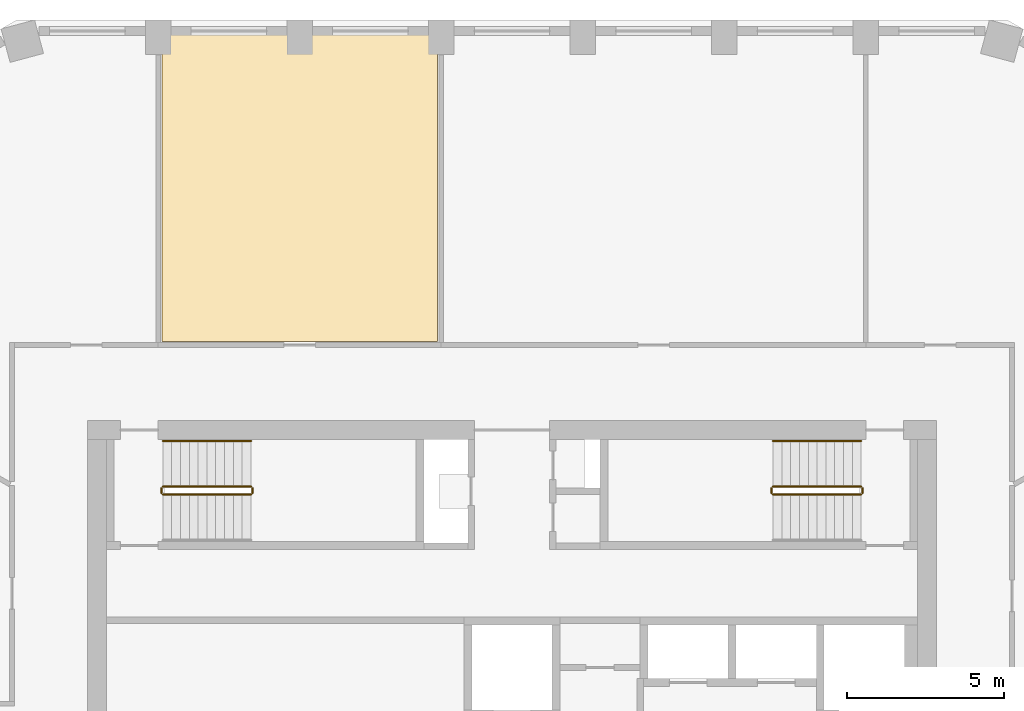
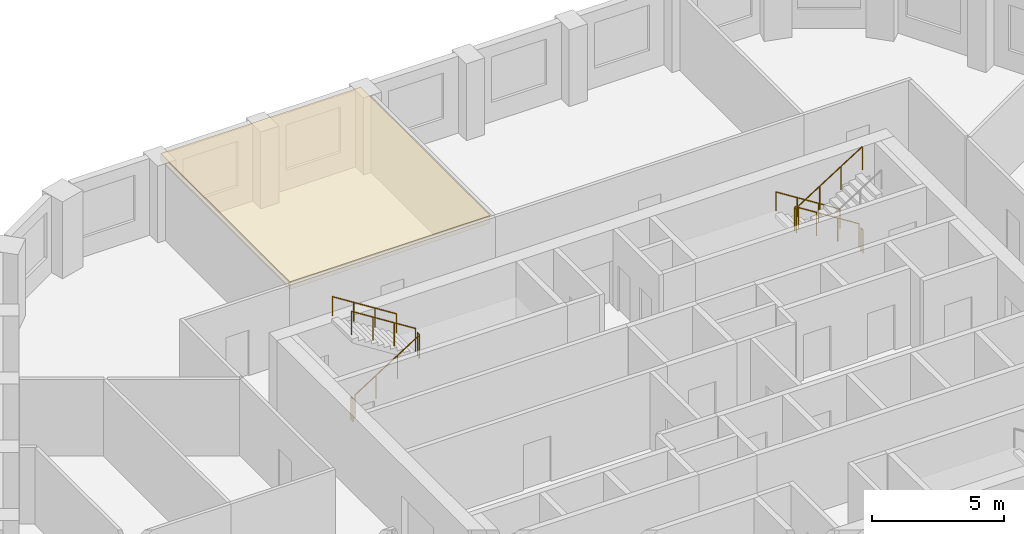
# One storey, part 11 of 11: 10 railings, 1 covering.
"""IFC4 building model written with IfcOpenShell, lengths in metres."""

from ifc_helpers import new_model, si_unit, direction, frame, origin, origin_2d, place, context, subcontext, project, spatial, polyline, circle, outline, extrude, material, layer, layer_set, type_object, element, save


model = new_model("IFC4")

# Units and contexts
model_context = context("Model", 3, precision=1e-05, world=origin(), true_north=direction((0.0, 1.0)))
body_context = subcontext(model_context, "Body", "Model", "MODEL_VIEW")
ifc_project = project(units=[si_unit("LENGTHUNIT", "METRE"), si_unit("AREAUNIT", "SQUARE_METRE"), si_unit("VOLUMEUNIT", "CUBIC_METRE"), si_unit("PLANEANGLEUNIT", "RADIAN"), si_unit("MASSUNIT", "GRAM", prefix="KILO")], contexts=[model_context])

# Site, building, storey
site_placement = place(None, origin())
site = spatial("IfcSite", under=ifc_project, at=site_placement, CompositionType="ELEMENT")
building_placement = place(site_placement, origin())
building = spatial("IfcBuilding", under=site, at=building_placement, Name="Dhurran Vertical Campus", CompositionType="ELEMENT")
storey_placement = place(building_placement, frame((0.0, 0.0, 211.199951171875)))
storey = spatial("IfcBuildingStorey", under=building, at=storey_placement, Name="L52", CompositionType="ELEMENT", Elevation=211.199951171875)

# Railings
ifc_material_1 = material(Name="Stainless steel balustrade", Category="steel")
railing_type_1 = type_object("IfcRailingType", Name="co-RL-GUARD-1100", PredefinedType="GUARDRAIL", material=ifc_material_1)
railing_1_placement = place(storey_placement, frame((-11.10009765625, 8.89990234375, 0.17724609375)))
element("IfcRailing", 1, at=railing_1_placement, inside=storey, type_object=railing_type_1, Name="L52 ST1 stair guard 1", PredefinedType="GUARDRAIL", context=body_context, shape_type="SweptSolid", body=[
    extrude(circle(Radius=0.02392578125, at=origin_2d()), frame((0.0, 0.0, 1.076171875), z_axis=(0.844908973607, 0.0, 0.534910110503), x_axis=(0.0, 1.0, 0.0)), (0.0, 0.0, 1.0), 3.31396484375),
    extrude(circle(Radius=0.02099609375, at=origin_2d()), origin(), (0.0, 0.0, 1.0), 1.052001953125),
    extrude(circle(Radius=0.02099609375, at=origin_2d()), frame((0.933349609375, 0.0, 0.5908203125)), (0.0, 0.0, 1.0), 1.052001953125),
    extrude(circle(Radius=0.02099609375, at=origin_2d()), frame((1.86669921875, 0.0, 1.181884765625)), (0.0, 0.0, 1.0), 1.052001953125),
    extrude(circle(Radius=0.02099609375, at=origin_2d()), frame((2.800048828125, 0.0, 1.772705078125)), (0.0, 0.0, 1.0), 1.052001953125),
])
railing_2_placement = place(storey_placement, frame((-8.25, 8.949951171875, 1.949951171875)))
element("IfcRailing", 2, at=railing_2_placement, inside=storey, type_object=railing_type_1, Name="L52 ST1 stair guard 2", PredefinedType="GUARDRAIL", context=body_context, shape_type="SweptSolid", body=[
    extrude(circle(Radius=0.02392578125, at=origin_2d()), frame((0.0, 0.0, 1.076171875), z_axis=(0.0, 1.0, 0.0), x_axis=(-1.0, 0.0, 0.0)), (0.0, 0.0, 1.0), 0.150146484375),
    extrude(circle(Radius=0.02099609375, at=origin_2d()), origin(), (0.0, 0.0, 1.0), 1.052001953125),
    extrude(circle(Radius=0.02099609375, at=origin_2d()), frame((0.0, 0.150146484375, 0.0)), (0.0, 0.0, 1.0), 1.052001953125),
])
railing_3_placement = place(storey_placement, frame((-8.300048828125, 9.14990234375, 2.12744140625)))
element("IfcRailing", 3, at=railing_3_placement, inside=storey, type_object=railing_type_1, Name="L52 ST1 stair guard 3", PredefinedType="GUARDRAIL", context=body_context, shape_type="SweptSolid", body=[
    extrude(circle(Radius=0.02392578125, at=origin_2d()), frame((0.0, 0.0, 1.076171875), z_axis=(-0.844908973607, 0.0, 0.534910110503), x_axis=(0.0, -1.0, 0.0)), (0.0, 0.0, 1.0), 3.31396484375),
    extrude(circle(Radius=0.02099609375, at=origin_2d()), origin(), (0.0, 0.0, 1.0), 1.052001953125),
    extrude(circle(Radius=0.02099609375, at=origin_2d()), frame((-0.933349609375, 0.0, 0.5908203125)), (0.0, 0.0, 1.0), 1.052001953125),
    extrude(circle(Radius=0.02099609375, at=origin_2d()), frame((-1.86669921875, 0.0, 1.181884765625)), (0.0, 0.0, 1.0), 1.052001953125),
    extrude(circle(Radius=0.02099609375, at=origin_2d()), frame((-2.800048828125, 0.0, 1.772705078125)), (0.0, 0.0, 1.0), 1.052001953125),
])
railing_4_placement = place(storey_placement, frame((-11.14990234375, 8.949951171875, 0.0)))
element("IfcRailing", 4, at=railing_4_placement, inside=storey, type_object=railing_type_1, Name="L52 ST1 stair guard 4", PredefinedType="GUARDRAIL", context=body_context, shape_type="SweptSolid", body=[
    extrude(circle(Radius=0.02392578125, at=origin_2d()), frame((0.0, 0.0, 1.076171875), z_axis=(0.0, 1.0, 0.0), x_axis=(-1.0, 0.0, 0.0)), (0.0, 0.0, 1.0), 0.150146484375),
    extrude(circle(Radius=0.02099609375, at=origin_2d()), origin(), (0.0, 0.0, 1.0), 1.052001953125),
    extrude(circle(Radius=0.02099609375, at=origin_2d()), frame((0.0, 0.150146484375, 0.0)), (0.0, 0.0, 1.0), 1.052001953125),
])
railing_5_placement = place(storey_placement, frame((11.10009765625, 9.14990234375, 0.17724609375)))
element("IfcRailing", 5, at=railing_5_placement, inside=storey, type_object=railing_type_1, Name="L52 ST2 stair guard 1", PredefinedType="GUARDRAIL", context=body_context, shape_type="SweptSolid", body=[
    extrude(circle(Radius=0.02392578125, at=origin_2d()), frame((0.0, 0.0, 1.076171875), z_axis=(-0.844908973607, 0.0, 0.534910110503), x_axis=(0.0, -1.0, 0.0)), (0.0, 0.0, 1.0), 3.31396484375),
    extrude(circle(Radius=0.02099609375, at=origin_2d()), origin(), (0.0, 0.0, 1.0), 1.052001953125),
    extrude(circle(Radius=0.02099609375, at=origin_2d()), frame((-0.933349609375, 0.0, 0.5908203125)), (0.0, 0.0, 1.0), 1.052001953125),
    extrude(circle(Radius=0.02099609375, at=origin_2d()), frame((-1.86669921875, 0.0, 1.181884765625)), (0.0, 0.0, 1.0), 1.052001953125),
    extrude(circle(Radius=0.02099609375, at=origin_2d()), frame((-2.800048828125, 0.0, 1.772705078125)), (0.0, 0.0, 1.0), 1.052001953125),
])
railing_6_placement = place(storey_placement, frame((8.25, 9.10009765625, 1.949951171875)))
element("IfcRailing", 6, at=railing_6_placement, inside=storey, type_object=railing_type_1, Name="L52 ST2 stair guard 2", PredefinedType="GUARDRAIL", context=body_context, shape_type="SweptSolid", body=[
    extrude(circle(Radius=0.02392578125, at=origin_2d()), frame((0.0, 0.0, 1.076171875), z_axis=(0.0, -1.0, 0.0), x_axis=(1.0, 0.0, 0.0)), (0.0, 0.0, 1.0), 0.150146484375),
    extrude(circle(Radius=0.02099609375, at=origin_2d()), origin(), (0.0, 0.0, 1.0), 1.052001953125),
    extrude(circle(Radius=0.02099609375, at=origin_2d()), frame((0.0, -0.150146484375, 0.0)), (0.0, 0.0, 1.0), 1.052001953125),
])
railing_7_placement = place(storey_placement, frame((8.300048828125, 8.89990234375, 2.12744140625)))
element("IfcRailing", 7, at=railing_7_placement, inside=storey, type_object=railing_type_1, Name="L52 ST2 stair guard 3", PredefinedType="GUARDRAIL", context=body_context, shape_type="SweptSolid", body=[
    extrude(circle(Radius=0.02392578125, at=origin_2d()), frame((0.0, 0.0, 1.076171875), z_axis=(0.844908973607, 0.0, 0.534910110503), x_axis=(0.0, 1.0, 0.0)), (0.0, 0.0, 1.0), 3.31396484375),
    extrude(circle(Radius=0.02099609375, at=origin_2d()), origin(), (0.0, 0.0, 1.0), 1.052001953125),
    extrude(circle(Radius=0.02099609375, at=origin_2d()), frame((0.933349609375, 0.0, 0.5908203125)), (0.0, 0.0, 1.0), 1.052001953125),
    extrude(circle(Radius=0.02099609375, at=origin_2d()), frame((1.86669921875, 0.0, 1.181884765625)), (0.0, 0.0, 1.0), 1.052001953125),
    extrude(circle(Radius=0.02099609375, at=origin_2d()), frame((2.800048828125, 0.0, 1.772705078125)), (0.0, 0.0, 1.0), 1.052001953125),
])
railing_8_placement = place(storey_placement, frame((11.14990234375, 9.10009765625, 0.0)))
element("IfcRailing", 8, at=railing_8_placement, inside=storey, type_object=railing_type_1, Name="L52 ST2 stair guard 4", PredefinedType="GUARDRAIL", context=body_context, shape_type="SweptSolid", body=[
    extrude(circle(Radius=0.02392578125, at=origin_2d()), frame((0.0, 0.0, 1.076171875), z_axis=(0.0, -1.0, 0.0), x_axis=(1.0, 0.0, 0.0)), (0.0, 0.0, 1.0), 0.150146484375),
    extrude(circle(Radius=0.02099609375, at=origin_2d()), origin(), (0.0, 0.0, 1.0), 1.052001953125),
    extrude(circle(Radius=0.02099609375, at=origin_2d()), frame((0.0, -0.150146484375, 0.0)), (0.0, 0.0, 1.0), 1.052001953125),
])
ifc_material_2 = material(Name="Stainless steel handrail", Category="steel")
railing_type_2 = type_object("IfcRailingType", Name="co-RL-HANDRAIL-900", PredefinedType="HANDRAIL", material=ifc_material_2)
for number, where, name in (
    (9, (-8.300048828125, 10.60009765625, 2.12744140625), "L52 ST1 stair handrail 2"),
    (10, (11.10009765625, 10.60009765625, 0.17724609375), "L52 ST2 stair handrail 1"),
):
    element("IfcRailing", number, at=place(storey_placement, frame(where)), inside=storey, type_object=railing_type_2, Name=name, PredefinedType="HANDRAIL", context=body_context, shape_type="SweptSolid", body=[
        extrude(circle(Radius=0.02392578125, at=origin_2d()), frame((0.0, 0.0, 0.8759765625), z_axis=(-0.844908973607, 0.0, 0.534910110503), x_axis=(0.0, -1.0, 0.0)), (0.0, 0.0, 1.0), 3.31396484375),
        extrude(circle(Radius=0.02099609375, at=origin_2d()), origin(), (0.0, 0.0, 1.0), 0.851806640625),
        extrude(circle(Radius=0.02099609375, at=origin_2d()), frame((-0.933349609375, 0.0, 0.5908203125)), (0.0, 0.0, 1.0), 0.851806640625),
        extrude(circle(Radius=0.02099609375, at=origin_2d()), frame((-1.86669921875, 0.0, 1.181884765625)), (0.0, 0.0, 1.0), 0.851806640625),
        extrude(circle(Radius=0.02099609375, at=origin_2d()), frame((-2.800048828125, 0.0, 1.772705078125)), (0.0, 0.0, 1.0), 0.851806640625),
    ])

# Covering
ifc_material_3 = material(Name="Mineral fibre ceiling tiles on suspended grid")
ifc_layer = layer(ifc_material_3, 0.35009765625)
ifc_layer_set = layer_set([ifc_layer], Name="Mineral fibre ceiling tiles on suspended grid")
covering_type = type_object("IfcCoveringType", Name="fl-CE-350 suspended ceiling", PredefinedType="CEILING", material=ifc_layer_set)
covering_placement = place(storey_placement, frame((0.0, 0.0, 3.199951171875)))
element("IfcCovering", 11, at=covering_placement, inside=storey, type_object=covering_type, Name="Ceiling 52-10", PredefinedType="CEILING", context=body_context, shape_type="SweptSolid", body=[
    extrude(outline(polyline([(-11.1298828125, 23.56591796875), (-2.3701171875, 23.56591796875), (-2.3701171875, 13.77001953125), (-11.1298828125, 13.77001953125), (-11.1298828125, 23.56591796875)])), origin(), (0.0, 0.0, 1.0), 0.35009765625),
])

save(model, "model.ifc")
